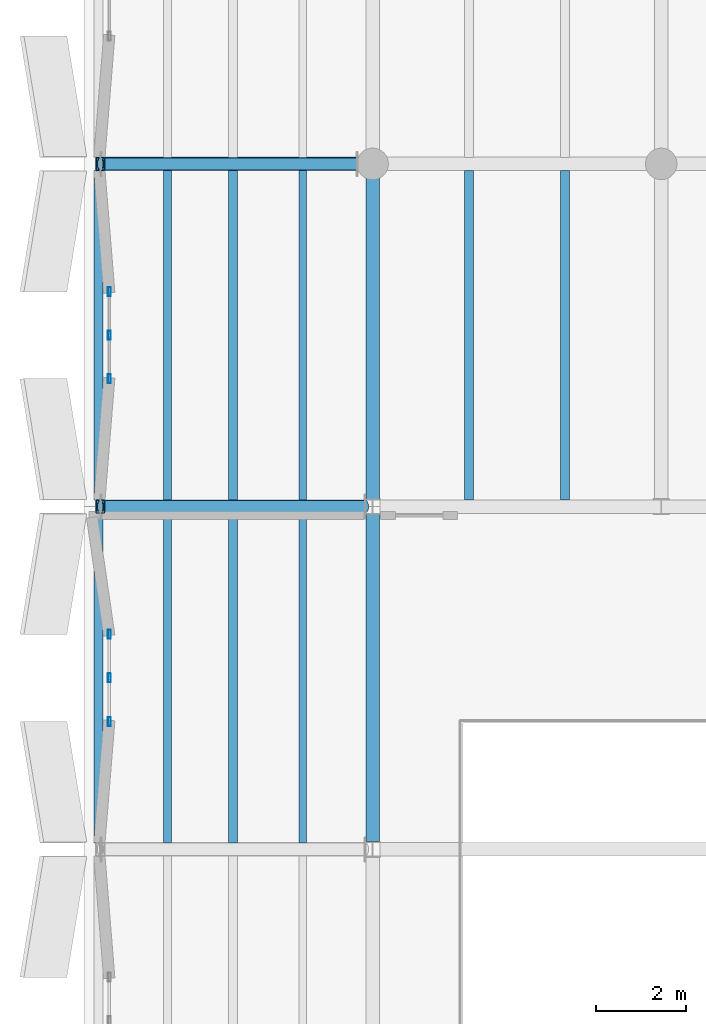
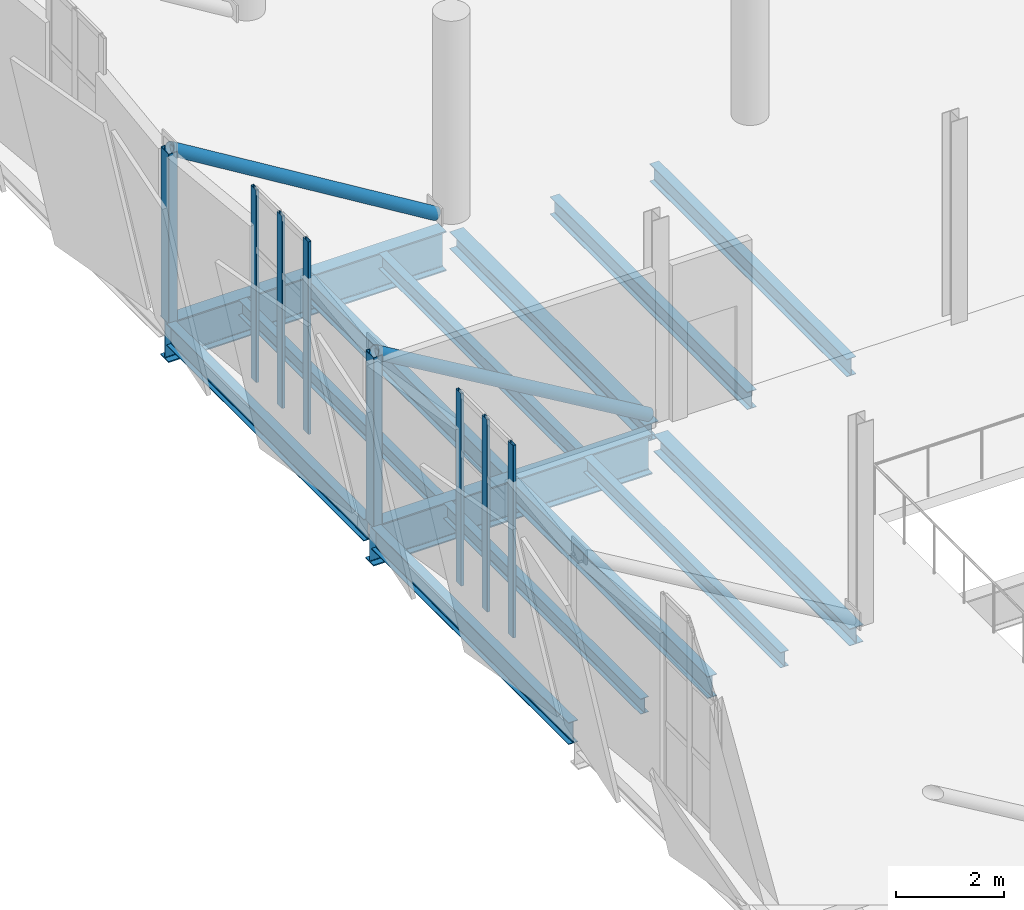
# One storey, part 25 of 136: 14 beams, 10 members, 2 elements without a shape of their own.
"""IFC4 building model written with IfcOpenShell, lengths in metres."""

from ifc_helpers import new_model, si_unit, direction, frame, origin, origin_2d, place, context, subcontext, project, spatial, hollow_rectangle, hollow_circle, i_section, extrude, material, material_profile, profile_set, type_object, element, aggregate, save


model = new_model("IFC4")

# Units and contexts
model_context = context("Model", 3, precision=1e-05, world=origin(), true_north=direction((0.0, 1.0)))
body_context = subcontext(model_context, "Body", "Model", "MODEL_VIEW")
ifc_project = project(units=[si_unit("LENGTHUNIT", "METRE"), si_unit("AREAUNIT", "SQUARE_METRE"), si_unit("VOLUMEUNIT", "CUBIC_METRE"), si_unit("PLANEANGLEUNIT", "RADIAN"), si_unit("MASSUNIT", "GRAM", prefix="KILO")], contexts=[model_context])

# Site, building, storey
site_placement = place(None, origin())
site = spatial("IfcSite", under=ifc_project, at=site_placement, CompositionType="ELEMENT")
building_placement = place(site_placement, origin())
building = spatial("IfcBuilding", under=site, at=building_placement, Name="Shengluoqiao Park Theatre", CompositionType="ELEMENT")
storey_placement = place(building_placement, frame((0.0, 0.0, 10.0)))
storey = spatial("IfcBuildingStorey", under=building, at=storey_placement, Name="L02", CompositionType="ELEMENT", Elevation=10.0)

# Curtain wall, members
ifc_material_1 = material(Name="Aluminium 6063-T6", Category="aluminium")
curtain_wall_type_1 = type_object("IfcCurtainWallType", Name="ENV-CW-STUDIO", PredefinedType="NOTDEFINED", material=ifc_material_1)
curtain_wall_1_placement = place(storey_placement, origin())
curtain_wall_1 = element("IfcCurtainWall", 1, at=curtain_wall_1_placement, inside=storey, type_object=curtain_wall_type_1, Name="L02 Curtain Wall CW-L02-SLIT-0240", PredefinedType="NOTDEFINED")
ifc_material_profile_1 = material_profile(ifc_material_1, hollow_rectangle(XDim=0.06494140625, YDim=0.199951171875, WallThickness=0.0048828125, InnerFilletRadius=0.0048828125, OuterFilletRadius=0.010009765625, at=origin_2d()), Name="ALU MULLION 200x65x5")
ifc_profile_set_1 = profile_set([ifc_material_profile_1], Name="Aluminium 6063-T6")
member_type_1 = type_object("IfcMemberType", Name="ENV-MUL-200", PredefinedType="MULLION", material=ifc_profile_set_1)
member_1_placement = place(storey_placement, frame((0.56005859375, 48.4326171875, 0.0), z_axis=(0.0, 0.0, 1.0), x_axis=(-1.0, 0.0, 0.0)))
member_1 = element("IfcMember", 2, at=member_1_placement, type_object=member_type_1, Name="CW-02 mullion 1", PredefinedType="MULLION", context=body_context, shape_type="SweptSolid", body=[
    extrude(hollow_rectangle(XDim=0.06494140625, YDim=0.199951171875, WallThickness=0.0048828125, InnerFilletRadius=0.0048828125, OuterFilletRadius=0.010009765625, at=origin_2d()), origin(), (0.0, 0.0, 1.0), 4.360107421875),
])
member_2_placement = place(storey_placement, frame((0.56005859375, 49.39990234375, 0.0), z_axis=(0.0, 0.0, 1.0), x_axis=(-1.0, 0.0, 0.0)))
member_2 = element("IfcMember", 3, at=member_2_placement, type_object=member_type_1, Name="CW-02 mullion 2", PredefinedType="MULLION", context=body_context, shape_type="SweptSolid", body=[
    extrude(hollow_rectangle(XDim=0.06494140625, YDim=0.199951171875, WallThickness=0.0048828125, InnerFilletRadius=0.0048828125, OuterFilletRadius=0.010009765625, at=origin_2d()), origin(), (0.0, 0.0, 1.0), 4.360107421875),
])
member_3_placement = place(storey_placement, frame((0.56005859375, 50.367431640625, 0.0), z_axis=(0.0, 0.0, 1.0), x_axis=(-1.0, 0.0, 0.0)))
member_3 = element("IfcMember", 4, at=member_3_placement, type_object=member_type_1, Name="CW-02 mullion 3", PredefinedType="MULLION", context=body_context, shape_type="SweptSolid", body=[
    extrude(hollow_rectangle(XDim=0.06494140625, YDim=0.199951171875, WallThickness=0.0048828125, InnerFilletRadius=0.0048828125, OuterFilletRadius=0.010009765625, at=origin_2d()), origin(), (0.0, 0.0, 1.0), 4.360107421875),
])
aggregate(curtain_wall_1, [member_1, member_2, member_3])

curtain_wall_type_2 = type_object("IfcCurtainWallType", Name="ENV-CW-FOYER", PredefinedType="NOTDEFINED", material=ifc_material_1)
curtain_wall_2_placement = place(storey_placement, origin())
curtain_wall_2 = element("IfcCurtainWall", 5, at=curtain_wall_2_placement, inside=storey, type_object=curtain_wall_type_2, Name="L02 Curtain Wall CW-L02-SLIT-0241", PredefinedType="NOTDEFINED")
member_4_placement = place(storey_placement, frame((0.56005859375, 56.032470703125, 0.0), z_axis=(0.0, 0.0, 1.0), x_axis=(-1.0, 0.0, 0.0)))
member_4 = element("IfcMember", 6, at=member_4_placement, type_object=member_type_1, Name="CW-01 mullion 1", PredefinedType="MULLION", context=body_context, shape_type="SweptSolid", body=[
    extrude(hollow_rectangle(XDim=0.06494140625, YDim=0.199951171875, WallThickness=0.0048828125, InnerFilletRadius=0.0048828125, OuterFilletRadius=0.010009765625, at=origin_2d()), origin(), (0.0, 0.0, 1.0), 4.360107421875),
])
member_5_placement = place(storey_placement, frame((0.56005859375, 57.0, 0.0), z_axis=(0.0, 0.0, 1.0), x_axis=(-1.0, 0.0, 0.0)))
member_5 = element("IfcMember", 7, at=member_5_placement, type_object=member_type_1, Name="CW-01 mullion 2", PredefinedType="MULLION", context=body_context, shape_type="SweptSolid", body=[
    extrude(hollow_rectangle(XDim=0.06494140625, YDim=0.199951171875, WallThickness=0.0048828125, InnerFilletRadius=0.0048828125, OuterFilletRadius=0.010009765625, at=origin_2d()), origin(), (0.0, 0.0, 1.0), 4.360107421875),
])
member_6_placement = place(storey_placement, frame((0.56005859375, 57.967529296875, 0.0), z_axis=(0.0, 0.0, 1.0), x_axis=(-1.0, 0.0, 0.0)))
member_6 = element("IfcMember", 8, at=member_6_placement, type_object=member_type_1, Name="CW-01 mullion 3", PredefinedType="MULLION", context=body_context, shape_type="SweptSolid", body=[
    extrude(hollow_rectangle(XDim=0.06494140625, YDim=0.199951171875, WallThickness=0.0048828125, InnerFilletRadius=0.0048828125, OuterFilletRadius=0.010009765625, at=origin_2d()), origin(), (0.0, 0.0, 1.0), 4.360107421875),
])
aggregate(curtain_wall_2, [member_4, member_5, member_6])

# Beams
ifc_material_2 = material(Name="Steel Q355", Category="steel")
ifc_material_profile_2 = material_profile(ifc_material_2, i_section(OverallWidth=0.300048828125, OverallDepth=0.389892578125, WebThickness=0.010009765625, FlangeThickness=0.01611328125, FilletRadius=0.01806640625, at=origin_2d()), Name="HM 390x300x10x16")
ifc_profile_set_2 = profile_set([ifc_material_profile_2], Name="Steel Q355")
beam_type_1 = type_object("IfcBeamType", Name="STR-BM-G-HM390", PredefinedType="BEAM", material=ifc_profile_set_2)
beam_1_placement = place(storey_placement, frame((6.39990234375, 45.76904296875, -0.43505859375), z_axis=(0.0, 1.0, 0.0), x_axis=(-1.0, 0.0, 0.0)))
element("IfcBeam", 9, at=beam_1_placement, inside=storey, type_object=beam_type_1, Name="L02 Transverse Girder 00875", PredefinedType="BEAM", context=body_context, shape_type="SweptSolid", body=[
    extrude(i_section(OverallWidth=0.300048828125, OverallDepth=0.389892578125, WebThickness=0.010009765625, FlangeThickness=0.01611328125, FilletRadius=0.01806640625, at=origin_2d()), origin(), (0.0, 0.0, 1.0), 7.261962890625),
])
beam_2_placement = place(storey_placement, frame((6.39990234375, 53.368896484375, -0.43505859375), z_axis=(0.0, 1.0, 0.0), x_axis=(-1.0, 0.0, 0.0)))
element("IfcBeam", 10, at=beam_2_placement, inside=storey, type_object=beam_type_1, Name="L02 Transverse Girder 00945", PredefinedType="BEAM", context=body_context, shape_type="SweptSolid", body=[
    extrude(i_section(OverallWidth=0.300048828125, OverallDepth=0.389892578125, WebThickness=0.010009765625, FlangeThickness=0.01611328125, FilletRadius=0.01806640625, at=origin_2d()), origin(), (0.0, 0.0, 1.0), 7.237060546875),
])
ifc_material_3 = material(Name="Steel Q390", Category="steel")
ifc_material_profile_3 = material_profile(ifc_material_3, i_section(OverallWidth=0.300048828125, OverallDepth=0.89990234375, WebThickness=0.01611328125, FlangeThickness=0.028076171875, FilletRadius=0.028076171875, at=origin_2d()), Name="HN 900x300x16x28")
ifc_profile_set_3 = profile_set([ifc_material_profile_3], Name="Steel Q390")
beam_type_2 = type_object("IfcBeamType", Name="STR-BM-G-HN900", PredefinedType="BEAM", material=ifc_profile_set_3)
beam_3_placement = place(storey_placement, frame((0.260009765625, 53.199951171875, -0.68994140625), z_axis=(1.0, 0.0, 0.0), x_axis=(0.0, 1.0, 0.0)))
element("IfcBeam", 11, at=beam_3_placement, inside=storey, type_object=beam_type_2, Name="CT-V3-4 L02 Cantilever Overhang Chord", PredefinedType="BEAM", context=body_context, shape_type="SweptSolid", body=[
    extrude(i_section(OverallWidth=0.300048828125, OverallDepth=0.89990234375, WebThickness=0.01611328125, FlangeThickness=0.028076171875, FilletRadius=0.028076171875, at=origin_2d()), origin(), (0.0, 0.0, 1.0), 5.97705078125),
])
beam_4_placement = place(storey_placement, frame((0.260009765625, 60.800048828125, -0.68994140625), z_axis=(1.0, 0.0, 0.0), x_axis=(0.0, 1.0, 0.0)))
element("IfcBeam", 12, at=beam_4_placement, inside=storey, type_object=beam_type_2, Name="CT-V5-1 L02 Cantilever Overhang Chord", PredefinedType="BEAM", context=body_context, shape_type="SweptSolid", body=[
    extrude(i_section(OverallWidth=0.300048828125, OverallDepth=0.89990234375, WebThickness=0.01611328125, FlangeThickness=0.028076171875, FilletRadius=0.028076171875, at=origin_2d()), origin(), (0.0, 0.0, 1.0), 5.951904296875),
])
ifc_material_profile_4 = material_profile(ifc_material_2, i_section(OverallWidth=0.175048828125, OverallDepth=0.35009765625, WebThickness=0.007080078125, FlangeThickness=0.010986328125, FilletRadius=0.013916015625, at=origin_2d()), Name="HN 350x175x7x11")
ifc_profile_set_4 = profile_set([ifc_material_profile_4], Name="Steel Q355")
beam_type_3 = type_object("IfcBeamType", Name="STR-BM-J-HN350", PredefinedType="JOIST", material=ifc_profile_set_4)
for number, where, z_axis, x_axis, name in (
    (13, (1.85009765625, 45.743896484375, -0.4150390625), (0.0, 1.0, 0.0), (-1.0, 0.0, 0.0), "V3 L02 Cantilever Joist 00015"),
    (14, (4.85009765625, 45.743896484375, -0.4150390625), (0.0, 1.0, 0.0), (-1.0, 0.0, 0.0), "V3 L02 Cantilever Joist 00018"),
    (15, (1.85009765625, 53.343994140625, -0.4150390625), (0.0, 1.0, 0.0), (-1.0, 0.0, 0.0), "V5 L02 Cantilever Joist 02-18"),
    (16, (4.85009765625, 53.343994140625, -0.4150390625), (0.0, 1.0, 0.0), (-1.0, 0.0, 0.0), "V5 L02 Cantilever Joist 00055"),
):
    element("IfcBeam", number, at=place(storey_placement, frame(where, z_axis=z_axis, x_axis=x_axis)), inside=storey, type_object=beam_type_3, Name=name, PredefinedType="JOIST", context=body_context, shape_type="SweptSolid", body=[
        extrude(i_section(OverallWidth=0.175048828125, OverallDepth=0.35009765625, WebThickness=0.007080078125, FlangeThickness=0.010986328125, FilletRadius=0.013916015625, at=origin_2d()), origin(), (0.0, 0.0, 1.0), 7.31201171875),
    ])
ifc_material_profile_5 = material_profile(ifc_material_2, i_section(OverallWidth=0.199951171875, OverallDepth=0.39990234375, WebThickness=0.008056640625, FlangeThickness=0.012939453125, FilletRadius=0.01611328125, at=origin_2d()), Name="HN 400x200x8x13")
ifc_profile_set_5 = profile_set([ifc_material_profile_5], Name="Steel Q355")
beam_type_4 = type_object("IfcBeamType", Name="STR-BM-J-HN400", PredefinedType="JOIST", material=ifc_profile_set_5)
for number, where, z_axis, x_axis, name in (
    (17, (8.533203125, 53.344970703125, -0.43994140625), (0.0, 1.0, 0.0), (-1.0, 0.0, 0.0), "L02 Composite Joist 00956"),
    (18, (10.666748046875, 53.344970703125, -0.43994140625), (0.0, 1.0, 0.0), (-1.0, 0.0, 0.0), "L02 Composite Joist 00957"),
):
    element("IfcBeam", number, at=place(storey_placement, frame(where, z_axis=z_axis, x_axis=x_axis)), inside=storey, type_object=beam_type_4, Name=name, PredefinedType="JOIST", context=body_context, shape_type="SweptSolid", body=[
        extrude(i_section(OverallWidth=0.199951171875, OverallDepth=0.39990234375, WebThickness=0.008056640625, FlangeThickness=0.012939453125, FilletRadius=0.01611328125, at=origin_2d()), origin(), (0.0, 0.0, 1.0), 7.31005859375),
    ])
ifc_material_profile_6 = material_profile(ifc_material_2, i_section(OverallWidth=0.198974609375, OverallDepth=0.49609375, WebThickness=0.009033203125, FlangeThickness=0.013916015625, FilletRadius=0.01806640625, at=origin_2d()), Name="HN 496x199x9x14")
ifc_profile_set_6 = profile_set([ifc_material_profile_6], Name="Steel Q355")
beam_type_5 = type_object("IfcBeamType", Name="STR-BM-SP-HN496", PredefinedType="SPANDREL", material=ifc_profile_set_6)
for number, where, z_axis, x_axis, name in (
    (19, (0.320068359375, 45.743896484375, -0.488037109375), (0.0, 1.0, 0.0), (-1.0, 0.0, 0.0), "V3 L02 Cantilever Spandrel 00011"),
    (20, (3.300048828125, 45.743896484375, -0.488037109375), (0.0, 1.0, 0.0), (-1.0, 0.0, 0.0), "V3 L02 Cantilever Spandrel 00013"),
    (21, (0.320068359375, 53.343994140625, -0.488037109375), (0.0, 1.0, 0.0), (-1.0, 0.0, 0.0), "V5 L02 Cantilever Spandrel L02-3"),
    (22, (3.300048828125, 53.343994140625, -0.488037109375), (0.0, 1.0, 0.0), (-1.0, 0.0, 0.0), "V5 L02 Cantilever Spandrel 02-33"),
):
    element("IfcBeam", number, at=place(storey_placement, frame(where, z_axis=z_axis, x_axis=x_axis)), inside=storey, type_object=beam_type_5, Name=name, PredefinedType="SPANDREL", context=body_context, shape_type="SweptSolid", body=[
        extrude(i_section(OverallWidth=0.198974609375, OverallDepth=0.49609375, WebThickness=0.009033203125, FlangeThickness=0.013916015625, FilletRadius=0.01806640625, at=origin_2d()), origin(), (0.0, 0.0, 1.0), 7.31201171875),
    ])

# Members
ifc_material_profile_7 = material_profile(ifc_material_2, hollow_circle(Radius=0.136474609375, WallThickness=0.011962890625, at=origin_2d()), Name="CHS 273x12")
ifc_profile_set_7 = profile_set([ifc_material_profile_7], Name="Steel Q355")
member_type_2 = type_object("IfcMemberType", Name="STR-MEM-BRC-273", PredefinedType="BRACE", material=ifc_profile_set_7)
member_7_placement = place(storey_placement, frame((6.240966796875, 53.199951171875, 0.1201171875), z_axis=(-0.860610557284, 0.0, 0.509263653417), x_axis=(0.0, -1.0, 0.0)))
element("IfcMember", 23, at=member_7_placement, inside=storey, type_object=member_type_2, Name="CT-V3-4 L02 Cantilever Raking Strut", PredefinedType="BRACE", context=body_context, shape_type="SweptSolid", body=[
    extrude(hollow_circle(Radius=0.136474609375, WallThickness=0.011962890625, at=origin_2d()), origin(), (0.0, 0.0, 1.0), 6.833251953125),
])
member_8_placement = place(storey_placement, frame((6.06494140625, 60.800048828125, 0.1201171875), z_axis=(-0.853701498368, 0.0, 0.520762663489), x_axis=(0.0, -1.0, 0.0)))
element("IfcMember", 24, at=member_8_placement, inside=storey, type_object=member_type_2, Name="CT-V5-1 L02 Cantilever Raking Strut", PredefinedType="BRACE", context=body_context, shape_type="SweptSolid", body=[
    extrude(hollow_circle(Radius=0.136474609375, WallThickness=0.011962890625, at=origin_2d()), origin(), (0.0, 0.0, 1.0), 6.682373046875),
])
ifc_material_profile_8 = material_profile(ifc_material_3, hollow_rectangle(XDim=0.199951171875, YDim=0.300048828125, WallThickness=0.011962890625, InnerFilletRadius=0.011962890625, OuterFilletRadius=0.02392578125, at=origin_2d()), Name="RHS 300x200x12")
ifc_profile_set_8 = profile_set([ifc_material_profile_8], Name="Steel Q390")
member_type_3 = type_object("IfcMemberType", Name="STR-MEM-PTR-302", PredefinedType="POST", material=ifc_profile_set_8)
for number, where, z_axis, x_axis, name in (
    (25, (0.360107421875, 53.199951171875, -0.260009765625), (0.0, 0.0, 1.0), (1.0, 0.0, 0.0), "CT-V3-4 L02 Cantilever Tip Post"),
    (26, (0.360107421875, 60.800048828125, -0.260009765625), (0.0, 0.0, 1.0), (1.0, 0.0, 0.0), "CT-V5-1 L02 Cantilever Tip Post"),
):
    element("IfcMember", number, at=place(storey_placement, frame(where, z_axis=z_axis, x_axis=x_axis)), inside=storey, type_object=member_type_3, Name=name, PredefinedType="POST", context=body_context, shape_type="SweptSolid", body=[
        extrude(hollow_rectangle(XDim=0.199951171875, YDim=0.300048828125, WallThickness=0.011962890625, InnerFilletRadius=0.011962890625, OuterFilletRadius=0.02392578125, at=origin_2d()), origin(), (0.0, 0.0, 1.0), 3.840087890625),
    ])

save(model, "model.ifc")
